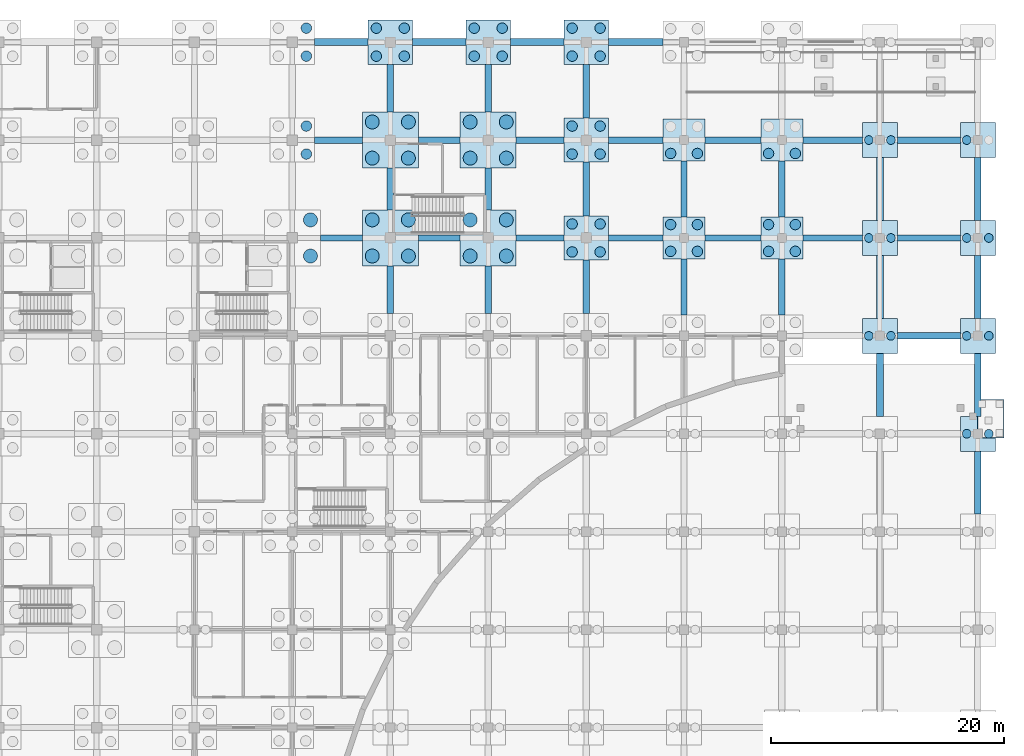
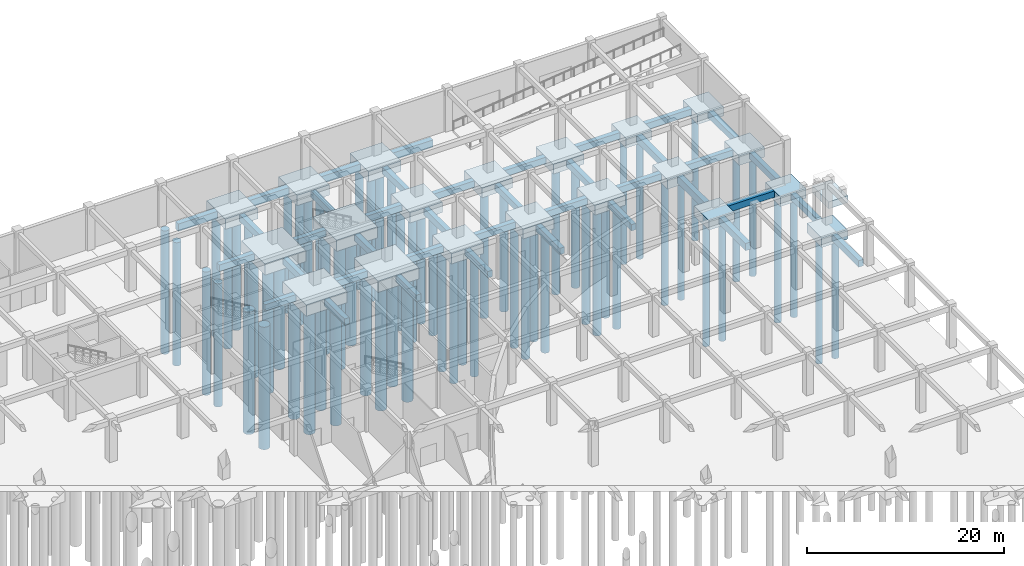
# One storey, part 16 of 65: 67 piles, 60 footings.
"""IFC4 building model written with IfcOpenShell, lengths in metres."""

from ifc_helpers import new_model, si_unit, direction, frame, origin, origin_2d, place, context, subcontext, project, spatial, rectangle, circle, extrude, material, material_profile, profile_set, type_object, element, save


model = new_model("IFC4")

# Units and contexts
model_context = context("Model", 3, precision=1e-05, world=origin(), true_north=direction((0.0, 1.0)))
body_context = subcontext(model_context, "Body", "Model", "MODEL_VIEW")
ifc_project = project(units=[si_unit("LENGTHUNIT", "METRE"), si_unit("AREAUNIT", "SQUARE_METRE"), si_unit("VOLUMEUNIT", "CUBIC_METRE"), si_unit("PLANEANGLEUNIT", "RADIAN"), si_unit("MASSUNIT", "GRAM", prefix="KILO")], contexts=[model_context])

# Site, building, storey
site_placement = place(None, origin())
site = spatial("IfcSite", under=ifc_project, at=site_placement, CompositionType="ELEMENT")
building_placement = place(site_placement, origin())
building = spatial("IfcBuilding", under=site, at=building_placement, Name="Bramfleet General Hospital", CompositionType="ELEMENT")
storey_placement = place(building_placement, frame((0.0, 0.0, -5.39990234375)))
storey = spatial("IfcBuildingStorey", under=building, at=storey_placement, Name="B1", CompositionType="ELEMENT", Elevation=-5.39990234375)

# Footings
ifc_material = material(Name="Concrete C35/45", Category="concrete")
ifc_material_profile_1 = material_profile(ifc_material, rectangle(XDim=0.550048828125, YDim=0.800048828125, at=origin_2d()), Name="RC FB 800x550")
ifc_profile_set_1 = profile_set([ifc_material_profile_1], Name="Concrete C35/45")
footing_type_1 = type_object("IfcFootingType", Name="FTG-FB-01", PredefinedType="FOOTING_BEAM", material=ifc_profile_set_1)
footing_1_placement = place(storey_placement, frame((128.39990234375, 100.800048828125, -0.900146484375), z_axis=(1.0, 0.0, 0.0), x_axis=(0.0, 1.0, 0.0)))
element("IfcFooting", 1, at=footing_1_placement, inside=storey, type_object=footing_type_1, Name="Foundation Tie Beam X 15-12", PredefinedType="FOOTING_BEAM", context=body_context, shape_type="SweptSolid", body=[
    extrude(rectangle(XDim=0.550048828125, YDim=0.800048828125, at=origin_2d()), origin(), (0.0, 0.0, 1.0), 3.60009765625),
])
footing_2_placement = place(storey_placement, frame((127.89990234375, 109.199951171875, -0.900146484375), z_axis=(1.0, 0.0, 0.0), x_axis=(0.0, 1.0, 0.0)))
element("IfcFooting", 2, at=footing_2_placement, inside=storey, type_object=footing_type_1, Name="Foundation Tie Beam X 15-13", PredefinedType="FOOTING_BEAM", context=body_context, shape_type="SweptSolid", body=[
    extrude(rectangle(XDim=0.550048828125, YDim=0.800048828125, at=origin_2d()), origin(), (0.0, 0.0, 1.0), 4.10009765625),
])
footing_3_placement = place(storey_placement, frame((134.39990234375, 94.300048828125, -0.900146484375), z_axis=(0.0, 1.0, 0.0), x_axis=(-1.0, 0.0, 0.0)))
element("IfcFooting", 3, at=footing_3_placement, inside=storey, type_object=footing_type_1, Name="Foundation Tie Beam Y 16-11", PredefinedType="FOOTING_BEAM", context=body_context, shape_type="SweptSolid", body=[
    extrude(rectangle(XDim=0.550048828125, YDim=0.800048828125, at=origin_2d()), origin(), (0.0, 0.0, 1.0), 4.099853515625),
])
footing_4_placement = place(storey_placement, frame((136.800048828125, 100.800048828125, -0.900146484375), z_axis=(1.0, 0.0, 0.0), x_axis=(0.0, 1.0, 0.0)))
element("IfcFooting", 4, at=footing_4_placement, inside=storey, type_object=footing_type_1, Name="Foundation Tie Beam X 16-12", PredefinedType="FOOTING_BEAM", context=body_context, shape_type="SweptSolid", body=[
    extrude(rectangle(XDim=0.550048828125, YDim=0.800048828125, at=origin_2d()), origin(), (0.0, 0.0, 1.0), 3.599853515625),
])
footing_5_placement = place(storey_placement, frame((134.39990234375, 103.199951171875, -0.900146484375), z_axis=(0.0, 1.0, 0.0), x_axis=(-1.0, 0.0, 0.0)))
element("IfcFooting", 5, at=footing_5_placement, inside=storey, type_object=footing_type_1, Name="Foundation Tie Beam Y 16-12", PredefinedType="FOOTING_BEAM", context=body_context, shape_type="SweptSolid", body=[
    extrude(rectangle(XDim=0.550048828125, YDim=0.800048828125, at=origin_2d()), origin(), (0.0, 0.0, 1.0), 3.60009765625),
])
footing_6_placement = place(storey_placement, frame((136.800048828125, 109.199951171875, -0.900146484375), z_axis=(1.0, 0.0, 0.0), x_axis=(0.0, 1.0, 0.0)))
element("IfcFooting", 6, at=footing_6_placement, inside=storey, type_object=footing_type_1, Name="Foundation Tie Beam X 16-13", PredefinedType="FOOTING_BEAM", context=body_context, shape_type="SweptSolid", body=[
    extrude(rectangle(XDim=0.550048828125, YDim=0.800048828125, at=origin_2d()), origin(), (0.0, 0.0, 1.0), 3.599853515625),
])
for number, where, z_axis, x_axis, name in (
    (7, (134.39990234375, 111.60009765625, -0.900146484375), (0.0, 1.0, 0.0), (-1.0, 0.0, 0.0), "Foundation Tie Beam Y 16-13"),
    (8, (142.800048828125, 94.300048828125, -0.900146484375), (0.0, 1.0, 0.0), (-1.0, 0.0, 0.0), "Foundation Tie Beam Y 17-11"),
):
    element("IfcFooting", number, at=place(storey_placement, frame(where, z_axis=z_axis, x_axis=x_axis)), inside=storey, type_object=footing_type_1, Name=name, PredefinedType="FOOTING_BEAM", context=body_context, shape_type="SweptSolid", body=[
        extrude(rectangle(XDim=0.550048828125, YDim=0.800048828125, at=origin_2d()), origin(), (0.0, 0.0, 1.0), 4.099853515625),
    ])
footing_7_placement = place(storey_placement, frame((145.199951171875, 100.800048828125, -0.900146484375), z_axis=(1.0, 0.0, 0.0), x_axis=(0.0, 1.0, 0.0)))
element("IfcFooting", 9, at=footing_7_placement, inside=storey, type_object=footing_type_1, Name="Foundation Tie Beam X 17-12", PredefinedType="FOOTING_BEAM", context=body_context, shape_type="SweptSolid", body=[
    extrude(rectangle(XDim=0.550048828125, YDim=0.800048828125, at=origin_2d()), origin(), (0.0, 0.0, 1.0), 4.10009765625),
])
footing_8_placement = place(storey_placement, frame((142.800048828125, 103.199951171875, -0.900146484375), z_axis=(0.0, 1.0, 0.0), x_axis=(-1.0, 0.0, 0.0)))
element("IfcFooting", 10, at=footing_8_placement, inside=storey, type_object=footing_type_1, Name="Foundation Tie Beam Y 17-12", PredefinedType="FOOTING_BEAM", context=body_context, shape_type="SweptSolid", body=[
    extrude(rectangle(XDim=0.550048828125, YDim=0.800048828125, at=origin_2d()), origin(), (0.0, 0.0, 1.0), 3.60009765625),
])
footing_9_placement = place(storey_placement, frame((145.199951171875, 109.199951171875, -0.900146484375), z_axis=(1.0, 0.0, 0.0), x_axis=(0.0, 1.0, 0.0)))
element("IfcFooting", 11, at=footing_9_placement, inside=storey, type_object=footing_type_1, Name="Foundation Tie Beam X 17-13", PredefinedType="FOOTING_BEAM", context=body_context, shape_type="SweptSolid", body=[
    extrude(rectangle(XDim=0.550048828125, YDim=0.800048828125, at=origin_2d()), origin(), (0.0, 0.0, 1.0), 4.10009765625),
])
footing_10_placement = place(storey_placement, frame((142.800048828125, 111.60009765625, -0.900146484375), z_axis=(0.0, 1.0, 0.0), x_axis=(-1.0, 0.0, 0.0)))
element("IfcFooting", 12, at=footing_10_placement, inside=storey, type_object=footing_type_1, Name="Foundation Tie Beam Y 17-13", PredefinedType="FOOTING_BEAM", context=body_context, shape_type="SweptSolid", body=[
    extrude(rectangle(XDim=0.550048828125, YDim=0.800048828125, at=origin_2d()), origin(), (0.0, 0.0, 1.0), 4.099853515625),
])
footing_11_placement = place(storey_placement, frame((151.199951171875, 94.300048828125, -0.900146484375), z_axis=(0.0, 1.0, 0.0), x_axis=(-1.0, 0.0, 0.0)))
element("IfcFooting", 13, at=footing_11_placement, inside=storey, type_object=footing_type_1, Name="Foundation Tie Beam Y 18-11", PredefinedType="FOOTING_BEAM", context=body_context, shape_type="SweptSolid", body=[
    extrude(rectangle(XDim=0.550048828125, YDim=0.800048828125, at=origin_2d()), origin(), (0.0, 0.0, 1.0), 4.599853515625),
])
footing_12_placement = place(storey_placement, frame((153.10009765625, 100.800048828125, -0.900146484375), z_axis=(1.0, 0.0, 0.0), x_axis=(0.0, 1.0, 0.0)))
element("IfcFooting", 14, at=footing_12_placement, inside=storey, type_object=footing_type_1, Name="Foundation Tie Beam X 18-12", PredefinedType="FOOTING_BEAM", context=body_context, shape_type="SweptSolid", body=[
    extrude(rectangle(XDim=0.550048828125, YDim=0.800048828125, at=origin_2d()), origin(), (0.0, 0.0, 1.0), 4.699951171875),
])
footing_13_placement = place(storey_placement, frame((151.199951171875, 102.699951171875, -0.900146484375), z_axis=(0.0, 1.0, 0.0), x_axis=(-1.0, 0.0, 0.0)))
element("IfcFooting", 15, at=footing_13_placement, inside=storey, type_object=footing_type_1, Name="Foundation Tie Beam Y 18-12", PredefinedType="FOOTING_BEAM", context=body_context, shape_type="SweptSolid", body=[
    extrude(rectangle(XDim=0.550048828125, YDim=0.800048828125, at=origin_2d()), origin(), (0.0, 0.0, 1.0), 4.60009765625),
])
footing_14_placement = place(storey_placement, frame((153.10009765625, 109.199951171875, -0.900146484375), z_axis=(1.0, 0.0, 0.0), x_axis=(0.0, 1.0, 0.0)))
element("IfcFooting", 16, at=footing_14_placement, inside=storey, type_object=footing_type_1, Name="Foundation Tie Beam X 18-13", PredefinedType="FOOTING_BEAM", context=body_context, shape_type="SweptSolid", body=[
    extrude(rectangle(XDim=0.550048828125, YDim=0.800048828125, at=origin_2d()), origin(), (0.0, 0.0, 1.0), 4.699951171875),
])
footing_15_placement = place(storey_placement, frame((151.199951171875, 111.10009765625, -0.900146484375), z_axis=(0.0, 1.0, 0.0), x_axis=(-1.0, 0.0, 0.0)))
element("IfcFooting", 17, at=footing_15_placement, inside=storey, type_object=footing_type_1, Name="Foundation Tie Beam Y 18-13", PredefinedType="FOOTING_BEAM", context=body_context, shape_type="SweptSolid", body=[
    extrude(rectangle(XDim=0.550048828125, YDim=0.800048828125, at=origin_2d()), origin(), (0.0, 0.0, 1.0), 4.599853515625),
])
for number, where, z_axis, x_axis, name in (
    (18, (159.60009765625, 94.199951171875, -0.900146484375), (0.0, 1.0, 0.0), (-1.0, 0.0, 0.0), "Foundation Tie Beam Y 19-11"),
    (19, (161.39990234375, 100.800048828125, -0.900146484375), (1.0, 0.0, 0.0), (0.0, 1.0, 0.0), "Foundation Tie Beam X 19-12"),
):
    element("IfcFooting", number, at=place(storey_placement, frame(where, z_axis=z_axis, x_axis=x_axis)), inside=storey, type_object=footing_type_1, Name=name, PredefinedType="FOOTING_BEAM", context=body_context, shape_type="SweptSolid", body=[
        extrude(rectangle(XDim=0.550048828125, YDim=0.800048828125, at=origin_2d()), origin(), (0.0, 0.0, 1.0), 4.800048828125),
    ])
footing_16_placement = place(storey_placement, frame((159.60009765625, 102.60009765625, -0.900146484375), z_axis=(0.0, 1.0, 0.0), x_axis=(-1.0, 0.0, 0.0)))
element("IfcFooting", 20, at=footing_16_placement, inside=storey, type_object=footing_type_1, Name="Foundation Tie Beam Y 19-12", PredefinedType="FOOTING_BEAM", context=body_context, shape_type="SweptSolid", body=[
    extrude(rectangle(XDim=0.550048828125, YDim=0.800048828125, at=origin_2d()), origin(), (0.0, 0.0, 1.0), 4.7998046875),
])
for number, where, z_axis, x_axis, name in (
    (21, (161.39990234375, 109.199951171875, -0.900146484375), (1.0, 0.0, 0.0), (0.0, 1.0, 0.0), "Foundation Tie Beam X 19-13"),
    (22, (168.0, 94.199951171875, -0.900146484375), (0.0, 1.0, 0.0), (-1.0, 0.0, 0.0), "Foundation Tie Beam Y 20-11"),
):
    element("IfcFooting", number, at=place(storey_placement, frame(where, z_axis=z_axis, x_axis=x_axis)), inside=storey, type_object=footing_type_1, Name=name, PredefinedType="FOOTING_BEAM", context=body_context, shape_type="SweptSolid", body=[
        extrude(rectangle(XDim=0.550048828125, YDim=0.800048828125, at=origin_2d()), origin(), (0.0, 0.0, 1.0), 4.800048828125),
    ])
footing_17_placement = place(storey_placement, frame((169.800048828125, 100.800048828125, -0.900146484375), z_axis=(1.0, 0.0, 0.0), x_axis=(0.0, 1.0, 0.0)))
element("IfcFooting", 23, at=footing_17_placement, inside=storey, type_object=footing_type_1, Name="Foundation Tie Beam X 20-12", PredefinedType="FOOTING_BEAM", context=body_context, shape_type="SweptSolid", body=[
    extrude(rectangle(XDim=0.550048828125, YDim=0.800048828125, at=origin_2d()), origin(), (0.0, 0.0, 1.0), 5.099853515625),
])
footing_18_placement = place(storey_placement, frame((168.0, 102.60009765625, -0.900146484375), z_axis=(0.0, 1.0, 0.0), x_axis=(-1.0, 0.0, 0.0)))
element("IfcFooting", 24, at=footing_18_placement, inside=storey, type_object=footing_type_1, Name="Foundation Tie Beam Y 20-12", PredefinedType="FOOTING_BEAM", context=body_context, shape_type="SweptSolid", body=[
    extrude(rectangle(XDim=0.550048828125, YDim=0.800048828125, at=origin_2d()), origin(), (0.0, 0.0, 1.0), 4.7998046875),
])
footing_19_placement = place(storey_placement, frame((169.800048828125, 109.199951171875, -0.900146484375), z_axis=(1.0, 0.0, 0.0), x_axis=(0.0, 1.0, 0.0)))
element("IfcFooting", 25, at=footing_19_placement, inside=storey, type_object=footing_type_1, Name="Foundation Tie Beam X 20-13", PredefinedType="FOOTING_BEAM", context=body_context, shape_type="SweptSolid", body=[
    extrude(rectangle(XDim=0.550048828125, YDim=0.800048828125, at=origin_2d()), origin(), (0.0, 0.0, 1.0), 5.099853515625),
])
for number, where, z_axis, x_axis, name in (
    (26, (177.89990234375, 92.39990234375, -0.900146484375), (1.0, 0.0, 0.0), (0.0, 1.0, 0.0), "Foundation Tie Beam X 21-11"),
    (27, (177.89990234375, 100.800048828125, -0.900146484375), (1.0, 0.0, 0.0), (0.0, 1.0, 0.0), "Foundation Tie Beam X 21-12"),
    (28, (177.89990234375, 109.199951171875, -0.900146484375), (1.0, 0.0, 0.0), (0.0, 1.0, 0.0), "Foundation Tie Beam X 21-13"),
):
    element("IfcFooting", number, at=place(storey_placement, frame(where, z_axis=z_axis, x_axis=x_axis)), inside=storey, type_object=footing_type_1, Name=name, PredefinedType="FOOTING_BEAM", context=body_context, shape_type="SweptSolid", body=[
        extrude(rectangle(XDim=0.550048828125, YDim=0.800048828125, at=origin_2d()), origin(), (0.0, 0.0, 1.0), 5.400146484375),
    ])
for number, where, z_axis, x_axis, name in (
    (29, (184.800048828125, 77.10009765625, -0.900146484375), (0.0, 1.0, 0.0), (-1.0, 0.0, 0.0), "Foundation Tie Beam Y 22-09"),
    (30, (184.800048828125, 85.5, -0.900146484375), (0.0, 1.0, 0.0), (-1.0, 0.0, 0.0), "Foundation Tie Beam Y 22-10"),
):
    element("IfcFooting", number, at=place(storey_placement, frame(where, z_axis=z_axis, x_axis=x_axis)), inside=storey, type_object=footing_type_1, Name=name, PredefinedType="FOOTING_BEAM", context=body_context, shape_type="SweptSolid", body=[
        extrude(rectangle(XDim=0.550048828125, YDim=0.800048828125, at=origin_2d()), origin(), (0.0, 0.0, 1.0), 5.39990234375),
    ])
footing_20_placement = place(storey_placement, frame((184.800048828125, 93.89990234375, -0.900146484375), z_axis=(0.0, 1.0, 0.0), x_axis=(-1.0, 0.0, 0.0)))
element("IfcFooting", 31, at=footing_20_placement, inside=storey, type_object=footing_type_1, Name="Foundation Tie Beam Y 22-11", PredefinedType="FOOTING_BEAM", context=body_context, shape_type="SweptSolid", body=[
    extrude(rectangle(XDim=0.550048828125, YDim=0.800048828125, at=origin_2d()), origin(), (0.0, 0.0, 1.0), 5.400146484375),
])
footing_21_placement = place(storey_placement, frame((184.800048828125, 102.300048828125, -0.900146484375), z_axis=(0.0, 1.0, 0.0), x_axis=(-1.0, 0.0, 0.0)))
element("IfcFooting", 32, at=footing_21_placement, inside=storey, type_object=footing_type_1, Name="Foundation Tie Beam Y 22-12", PredefinedType="FOOTING_BEAM", context=body_context, shape_type="SweptSolid", body=[
    extrude(rectangle(XDim=0.550048828125, YDim=0.800048828125, at=origin_2d()), origin(), (0.0, 0.0, 1.0), 5.39990234375),
])
ifc_material_profile_2 = material_profile(ifc_material, rectangle(XDim=0.60009765625, YDim=0.89990234375, at=origin_2d()), Name="RC FB 900x600")
ifc_profile_set_2 = profile_set([ifc_material_profile_2], Name="Concrete C35/45")
footing_type_2 = type_object("IfcFootingType", Name="FTG-FB-02", PredefinedType="FOOTING_BEAM", material=ifc_profile_set_2)
footing_22_placement = place(storey_placement, frame((127.89990234375, 117.60009765625, -0.9501953125), z_axis=(1.0, 0.0, 0.0), x_axis=(0.0, 1.0, 0.0)))
element("IfcFooting", 33, at=footing_22_placement, inside=storey, type_object=footing_type_2, Name="Foundation Tie Beam X 15-14", PredefinedType="FOOTING_BEAM", context=body_context, shape_type="SweptSolid", body=[
    extrude(rectangle(XDim=0.60009765625, YDim=0.89990234375, at=origin_2d()), origin(), (0.0, 0.0, 1.0), 4.60009765625),
])
footing_23_placement = place(storey_placement, frame((136.300048828125, 117.60009765625, -0.9501953125), z_axis=(1.0, 0.0, 0.0), x_axis=(0.0, 1.0, 0.0)))
element("IfcFooting", 34, at=footing_23_placement, inside=storey, type_object=footing_type_2, Name="Foundation Tie Beam X 16-14", PredefinedType="FOOTING_BEAM", context=body_context, shape_type="SweptSolid", body=[
    extrude(rectangle(XDim=0.60009765625, YDim=0.89990234375, at=origin_2d()), origin(), (0.0, 0.0, 1.0), 4.599853515625),
])
footing_24_placement = place(storey_placement, frame((144.699951171875, 117.60009765625, -0.9501953125), z_axis=(1.0, 0.0, 0.0), x_axis=(0.0, 1.0, 0.0)))
element("IfcFooting", 35, at=footing_24_placement, inside=storey, type_object=footing_type_2, Name="Foundation Tie Beam X 17-14", PredefinedType="FOOTING_BEAM", context=body_context, shape_type="SweptSolid", body=[
    extrude(rectangle(XDim=0.60009765625, YDim=0.89990234375, at=origin_2d()), origin(), (0.0, 0.0, 1.0), 4.60009765625),
])
footing_25_placement = place(storey_placement, frame((153.10009765625, 117.60009765625, -0.9501953125), z_axis=(1.0, 0.0, 0.0), x_axis=(0.0, 1.0, 0.0)))
element("IfcFooting", 36, at=footing_25_placement, inside=storey, type_object=footing_type_2, Name="Foundation Tie Beam X 18-14", PredefinedType="FOOTING_BEAM", context=body_context, shape_type="SweptSolid", body=[
    extrude(rectangle(XDim=0.60009765625, YDim=0.89990234375, at=origin_2d()), origin(), (0.0, 0.0, 1.0), 4.699951171875),
])
footing_26_placement = place(storey_placement, frame((176.39990234375, 85.5, -0.9501953125), z_axis=(0.0, 1.0, 0.0), x_axis=(-1.0, 0.0, 0.0)))
element("IfcFooting", 37, at=footing_26_placement, inside=storey, type_object=footing_type_2, Name="Foundation Tie Beam Y 21-10", PredefinedType="FOOTING_BEAM", context=body_context, shape_type="SweptSolid", body=[
    extrude(rectangle(XDim=0.60009765625, YDim=0.89990234375, at=origin_2d()), origin(), (0.0, 0.0, 1.0), 5.39990234375),
])
footing_27_placement = place(storey_placement, frame((176.39990234375, 93.89990234375, -0.9501953125), z_axis=(0.0, 1.0, 0.0), x_axis=(-1.0, 0.0, 0.0)))
element("IfcFooting", 38, at=footing_27_placement, inside=storey, type_object=footing_type_2, Name="Foundation Tie Beam Y 21-11", PredefinedType="FOOTING_BEAM", context=body_context, shape_type="SweptSolid", body=[
    extrude(rectangle(XDim=0.60009765625, YDim=0.89990234375, at=origin_2d()), origin(), (0.0, 0.0, 1.0), 5.400146484375),
])
footing_28_placement = place(storey_placement, frame((176.39990234375, 102.300048828125, -0.9501953125), z_axis=(0.0, 1.0, 0.0), x_axis=(-1.0, 0.0, 0.0)))
element("IfcFooting", 39, at=footing_28_placement, inside=storey, type_object=footing_type_2, Name="Foundation Tie Beam Y 21-12", PredefinedType="FOOTING_BEAM", context=body_context, shape_type="SweptSolid", body=[
    extrude(rectangle(XDim=0.60009765625, YDim=0.89990234375, at=origin_2d()), origin(), (0.0, 0.0, 1.0), 5.39990234375),
])
footing_type_3 = type_object("IfcFootingType", Name="FTG-PC-01", PredefinedType="PILE_CAP", material=ifc_material)
for number, where, z_axis, x_axis, name in (
    (40, (176.39990234375, 92.39990234375, -1.7001953125), (0.0, 0.0, 1.0), (1.0, 0.0, 0.0), "Pile Cap FTG-B1-21-11"),
    (41, (176.39990234375, 100.800048828125, -1.7001953125), (0.0, 0.0, 1.0), (1.0, 0.0, 0.0), "Pile Cap FTG-B1-21-12"),
    (42, (176.39990234375, 109.199951171875, -1.7001953125), (0.0, 0.0, 1.0), (1.0, 0.0, 0.0), "Pile Cap FTG-B1-21-13"),
    (43, (184.800048828125, 84.0, -1.7001953125), (0.0, 0.0, 1.0), (1.0, 0.0, 0.0), "Pile Cap FTG-B1-22-10"),
    (44, (184.800048828125, 92.39990234375, -1.7001953125), (0.0, 0.0, 1.0), (1.0, 0.0, 0.0), "Pile Cap FTG-B1-22-11"),
    (45, (184.800048828125, 100.800048828125, -1.7001953125), (0.0, 0.0, 1.0), (1.0, 0.0, 0.0), "Pile Cap FTG-B1-22-12"),
    (46, (184.800048828125, 109.199951171875, -1.7001953125), (0.0, 0.0, 1.0), (1.0, 0.0, 0.0), "Pile Cap FTG-B1-22-13"),
):
    element("IfcFooting", number, at=place(storey_placement, frame(where, z_axis=z_axis, x_axis=x_axis)), inside=storey, type_object=footing_type_3, Name=name, PredefinedType="PILE_CAP", context=body_context, shape_type="SweptSolid", body=[
        extrude(rectangle(XDim=3.0, YDim=3.0, at=origin_2d()), origin(), (0.0, 0.0, 1.0), 1.199951171875),
    ])
footing_type_4 = type_object("IfcFootingType", Name="FTG-PC-03", PredefinedType="PILE_CAP", material=ifc_material)
for number, where, z_axis, x_axis, name in (
    (47, (159.60009765625, 100.800048828125, -1.7001953125), (0.0, 0.0, 1.0), (1.0, 0.0, 0.0), "Pile Cap FTG-B1-19-12"),
    (48, (159.60009765625, 109.199951171875, -1.7001953125), (0.0, 0.0, 1.0), (1.0, 0.0, 0.0), "Pile Cap FTG-B1-19-13"),
    (49, (168.0, 100.800048828125, -1.7001953125), (0.0, 0.0, 1.0), (1.0, 0.0, 0.0), "Pile Cap FTG-B1-20-12"),
    (50, (168.0, 109.199951171875, -1.7001953125), (0.0, 0.0, 1.0), (1.0, 0.0, 0.0), "Pile Cap FTG-B1-20-13"),
):
    element("IfcFooting", number, at=place(storey_placement, frame(where, z_axis=z_axis, x_axis=x_axis)), inside=storey, type_object=footing_type_4, Name=name, PredefinedType="PILE_CAP", context=body_context, shape_type="SweptSolid", body=[
        extrude(rectangle(XDim=3.60009765625, YDim=3.60009765625, at=origin_2d()), origin(), (0.0, 0.0, 1.0), 1.199951171875),
    ])
footing_type_5 = type_object("IfcFootingType", Name="FTG-PC-04", PredefinedType="PILE_CAP", material=ifc_material)
for number, where, z_axis, x_axis, name in (
    (51, (134.39990234375, 117.60009765625, -1.80029296875), (0.0, 0.0, 1.0), (1.0, 0.0, 0.0), "Pile Cap FTG-B1-16-14"),
    (52, (142.800048828125, 117.60009765625, -1.80029296875), (0.0, 0.0, 1.0), (1.0, 0.0, 0.0), "Pile Cap FTG-B1-17-14"),
    (53, (151.199951171875, 100.800048828125, -1.80029296875), (0.0, 0.0, 1.0), (1.0, 0.0, 0.0), "Pile Cap FTG-B1-18-12"),
    (54, (151.199951171875, 109.199951171875, -1.80029296875), (0.0, 0.0, 1.0), (1.0, 0.0, 0.0), "Pile Cap FTG-B1-18-13"),
    (55, (151.199951171875, 117.60009765625, -1.80029296875), (0.0, 0.0, 1.0), (1.0, 0.0, 0.0), "Pile Cap FTG-B1-18-14"),
):
    element("IfcFooting", number, at=place(storey_placement, frame(where, z_axis=z_axis, x_axis=x_axis)), inside=storey, type_object=footing_type_5, Name=name, PredefinedType="PILE_CAP", context=body_context, shape_type="SweptSolid", body=[
        extrude(rectangle(XDim=3.800048828125, YDim=3.800048828125, at=origin_2d()), origin(), (0.0, 0.0, 1.0), 1.300048828125),
    ])
footing_type_6 = type_object("IfcFootingType", Name="FTG-PC-05", PredefinedType="PILE_CAP", material=ifc_material)
for number, where, z_axis, x_axis, name in (
    (56, (134.39990234375, 100.800048828125, -1.900146484375), (0.0, 0.0, 1.0), (1.0, 0.0, 0.0), "Pile Cap FTG-B1-16-12"),
    (57, (134.39990234375, 109.199951171875, -1.900146484375), (0.0, 0.0, 1.0), (1.0, 0.0, 0.0), "Pile Cap FTG-B1-16-13"),
    (58, (142.800048828125, 100.800048828125, -1.900146484375), (0.0, 0.0, 1.0), (1.0, 0.0, 0.0), "Pile Cap FTG-B1-17-12"),
    (59, (142.800048828125, 109.199951171875, -1.900146484375), (0.0, 0.0, 1.0), (1.0, 0.0, 0.0), "Pile Cap FTG-B1-17-13"),
):
    element("IfcFooting", number, at=place(storey_placement, frame(where, z_axis=z_axis, x_axis=x_axis)), inside=storey, type_object=footing_type_6, Name=name, PredefinedType="PILE_CAP", context=body_context, shape_type="SweptSolid", body=[
        extrude(rectangle(XDim=4.800048828125, YDim=4.800048828125, at=origin_2d()), origin(), (0.0, 0.0, 1.0), 1.39990234375),
    ])
footing_type_7 = type_object("IfcFootingType", Name="FTG-PF-01", PredefinedType="PAD_FOOTING", material=ifc_material)
footing_29_placement = place(storey_placement, frame((185.909912109375, 85.300048828125, 1.89990234375), z_axis=(0.0, 0.0, 1.0), x_axis=(1.0, 0.0, 0.0)))
element("IfcFooting", 60, at=footing_29_placement, inside=storey, type_object=footing_type_7, Name="Combined Threshold Pad Footing 6", PredefinedType="PAD_FOOTING", context=body_context, shape_type="SweptSolid", body=[
    extrude(rectangle(XDim=2.280029296875, YDim=3.300048828125, at=origin_2d()), origin(), (0.0, 0.0, 1.0), 0.85009765625),
])

# Piles
ifc_material_profile_3 = material_profile(ifc_material, circle(Radius=0.60009765625, at=origin_2d()), Name="PILE BORED D1200")
ifc_profile_set_3 = profile_set([ifc_material_profile_3], Name="Concrete C35/45")
pile_type_1 = type_object("IfcPileType", Name="PILE-D1200", PredefinedType="BORED", material=ifc_profile_set_3)
for number, where, z_axis, x_axis, name in (
    (61, (127.550048828125, 99.25, -1.800048828125), (0.0, 0.0, -1.0), (1.0, 0.0, 0.0), "Bored Pile PILE-B1-15-12-2"),
    (62, (127.550048828125, 102.35009765625, -1.800048828125), (0.0, 0.0, -1.0), (1.0, 0.0, 0.0), "Bored Pile PILE-B1-15-12-4"),
    (63, (132.85009765625, 99.25, -1.800048828125), (0.0, 0.0, -1.0), (1.0, 0.0, 0.0), "Bored Pile PILE-B1-16-12-1"),
    (64, (135.949951171875, 99.25, -1.800048828125), (0.0, 0.0, -1.0), (1.0, 0.0, 0.0), "Bored Pile PILE-B1-16-12-2"),
    (65, (132.85009765625, 102.35009765625, -1.800048828125), (0.0, 0.0, -1.0), (1.0, 0.0, 0.0), "Bored Pile PILE-B1-16-12-3"),
    (66, (135.949951171875, 102.35009765625, -1.800048828125), (0.0, 0.0, -1.0), (1.0, 0.0, 0.0), "Bored Pile PILE-B1-16-12-4"),
    (67, (132.85009765625, 107.64990234375, -1.800048828125), (0.0, 0.0, -1.0), (1.0, 0.0, 0.0), "Bored Pile PILE-B1-16-13-1"),
    (68, (135.949951171875, 107.64990234375, -1.800048828125), (0.0, 0.0, -1.0), (1.0, 0.0, 0.0), "Bored Pile PILE-B1-16-13-2"),
    (69, (132.85009765625, 110.75, -1.800048828125), (0.0, 0.0, -1.0), (1.0, 0.0, 0.0), "Bored Pile PILE-B1-16-13-3"),
    (70, (135.949951171875, 110.75, -1.800048828125), (0.0, 0.0, -1.0), (1.0, 0.0, 0.0), "Bored Pile PILE-B1-16-13-4"),
    (71, (141.25, 99.25, -1.800048828125), (0.0, 0.0, -1.0), (1.0, 0.0, 0.0), "Bored Pile PILE-B1-17-12-1"),
    (72, (144.35009765625, 99.25, -1.800048828125), (0.0, 0.0, -1.0), (1.0, 0.0, 0.0), "Bored Pile PILE-B1-17-12-2"),
    (73, (141.25, 102.35009765625, -1.800048828125), (0.0, 0.0, -1.0), (1.0, 0.0, 0.0), "Bored Pile PILE-B1-17-12-3"),
    (74, (144.35009765625, 102.35009765625, -1.800048828125), (0.0, 0.0, -1.0), (1.0, 0.0, 0.0), "Bored Pile PILE-B1-17-12-4"),
    (75, (141.25, 107.64990234375, -1.800048828125), (0.0, 0.0, -1.0), (1.0, 0.0, 0.0), "Bored Pile PILE-B1-17-13-1"),
    (76, (144.35009765625, 107.64990234375, -1.800048828125), (0.0, 0.0, -1.0), (1.0, 0.0, 0.0), "Bored Pile PILE-B1-17-13-2"),
    (77, (141.25, 110.75, -1.800048828125), (0.0, 0.0, -1.0), (1.0, 0.0, 0.0), "Bored Pile PILE-B1-17-13-3"),
    (78, (144.35009765625, 110.75, -1.800048828125), (0.0, 0.0, -1.0), (1.0, 0.0, 0.0), "Bored Pile PILE-B1-17-13-4"),
):
    element("IfcPile", number, at=place(storey_placement, frame(where, z_axis=z_axis, x_axis=x_axis)), inside=storey, type_object=pile_type_1, Name=name, PredefinedType="BORED", context=body_context, shape_type="SweptSolid", body=[
        extrude(circle(Radius=0.60009765625, at=origin_2d()), origin(), (0.0, 0.0, 1.0), 15.199951171875),
    ])
ifc_material_profile_4 = material_profile(ifc_material, circle(Radius=0.375, at=origin_2d()), Name="PILE BORED D750")
ifc_profile_set_4 = profile_set([ifc_material_profile_4], Name="Concrete C35/45")
pile_type_2 = type_object("IfcPileType", Name="PILE-D750", PredefinedType="BORED", material=ifc_profile_set_4)
for number, where, z_axis, x_axis, name in (
    (79, (175.449951171875, 92.39990234375, -1.60009765625), (0.0, 0.0, -1.0), (1.0, 0.0, 0.0), "Bored Pile PILE-B1-21-11-1"),
    (80, (177.35009765625, 92.39990234375, -1.60009765625), (0.0, 0.0, -1.0), (1.0, 0.0, 0.0), "Bored Pile PILE-B1-21-11-2"),
    (81, (175.449951171875, 100.800048828125, -1.60009765625), (0.0, 0.0, -1.0), (1.0, 0.0, 0.0), "Bored Pile PILE-B1-21-12-1"),
    (82, (177.35009765625, 100.800048828125, -1.60009765625), (0.0, 0.0, -1.0), (1.0, 0.0, 0.0), "Bored Pile PILE-B1-21-12-2"),
    (83, (175.449951171875, 109.199951171875, -1.60009765625), (0.0, 0.0, -1.0), (1.0, 0.0, 0.0), "Bored Pile PILE-B1-21-13-1"),
    (84, (177.35009765625, 109.199951171875, -1.60009765625), (0.0, 0.0, -1.0), (1.0, 0.0, 0.0), "Bored Pile PILE-B1-21-13-2"),
    (85, (183.85009765625, 84.0, -1.60009765625), (0.0, 0.0, -1.0), (1.0, 0.0, 0.0), "Bored Pile PILE-B1-22-10-1"),
    (86, (185.75, 84.0, -1.60009765625), (0.0, 0.0, -1.0), (1.0, 0.0, 0.0), "Bored Pile PILE-B1-22-10-2"),
    (87, (183.85009765625, 92.39990234375, -1.60009765625), (0.0, 0.0, -1.0), (1.0, 0.0, 0.0), "Bored Pile PILE-B1-22-11-1"),
    (88, (185.75, 92.39990234375, -1.60009765625), (0.0, 0.0, -1.0), (1.0, 0.0, 0.0), "Bored Pile PILE-B1-22-11-2"),
    (89, (183.85009765625, 100.800048828125, -1.60009765625), (0.0, 0.0, -1.0), (1.0, 0.0, 0.0), "Bored Pile PILE-B1-22-12-1"),
    (90, (185.75, 100.800048828125, -1.60009765625), (0.0, 0.0, -1.0), (1.0, 0.0, 0.0), "Bored Pile PILE-B1-22-12-2"),
    (91, (183.85009765625, 109.199951171875, -1.60009765625), (0.0, 0.0, -1.0), (1.0, 0.0, 0.0), "Bored Pile PILE-B1-22-13-1"),
):
    element("IfcPile", number, at=place(storey_placement, frame(where, z_axis=z_axis, x_axis=x_axis)), inside=storey, type_object=pile_type_2, Name=name, PredefinedType="BORED", context=body_context, shape_type="SweptSolid", body=[
        extrude(circle(Radius=0.375, at=origin_2d()), origin(), (0.0, 0.0, 1.0), 15.39990234375),
    ])
ifc_material_profile_5 = material_profile(ifc_material, circle(Radius=0.449951171875, at=origin_2d()), Name="PILE BORED D900")
ifc_profile_set_5 = profile_set([ifc_material_profile_5], Name="Concrete C35/45")
pile_type_3 = type_object("IfcPileType", Name="PILE-D900", PredefinedType="BORED", material=ifc_profile_set_5)
for number, where, z_axis, x_axis, name in (
    (92, (127.199951171875, 108.0, -1.7001953125), (0.0, 0.0, -1.0), (1.0, 0.0, 0.0), "Bored Pile PILE-B1-15-13-2"),
    (93, (127.199951171875, 110.39990234375, -1.7001953125), (0.0, 0.0, -1.0), (1.0, 0.0, 0.0), "Bored Pile PILE-B1-15-13-4"),
    (94, (127.199951171875, 116.39990234375, -1.7001953125), (0.0, 0.0, -1.0), (1.0, 0.0, 0.0), "Bored Pile PILE-B1-15-14-2"),
    (95, (127.199951171875, 118.800048828125, -1.7001953125), (0.0, 0.0, -1.0), (1.0, 0.0, 0.0), "Bored Pile PILE-B1-15-14-4"),
    (96, (133.199951171875, 116.39990234375, -1.7001953125), (0.0, 0.0, -1.0), (1.0, 0.0, 0.0), "Bored Pile PILE-B1-16-14-1"),
    (97, (135.60009765625, 116.39990234375, -1.7001953125), (0.0, 0.0, -1.0), (1.0, 0.0, 0.0), "Bored Pile PILE-B1-16-14-2"),
    (98, (133.199951171875, 118.800048828125, -1.7001953125), (0.0, 0.0, -1.0), (1.0, 0.0, 0.0), "Bored Pile PILE-B1-16-14-3"),
    (99, (135.60009765625, 118.800048828125, -1.7001953125), (0.0, 0.0, -1.0), (1.0, 0.0, 0.0), "Bored Pile PILE-B1-16-14-4"),
    (100, (141.60009765625, 116.39990234375, -1.7001953125), (0.0, 0.0, -1.0), (1.0, 0.0, 0.0), "Bored Pile PILE-B1-17-14-1"),
    (101, (144.0, 116.39990234375, -1.7001953125), (0.0, 0.0, -1.0), (1.0, 0.0, 0.0), "Bored Pile PILE-B1-17-14-2"),
    (102, (141.60009765625, 118.800048828125, -1.7001953125), (0.0, 0.0, -1.0), (1.0, 0.0, 0.0), "Bored Pile PILE-B1-17-14-3"),
    (103, (144.0, 118.800048828125, -1.7001953125), (0.0, 0.0, -1.0), (1.0, 0.0, 0.0), "Bored Pile PILE-B1-17-14-4"),
    (104, (150.0, 99.60009765625, -1.7001953125), (0.0, 0.0, -1.0), (1.0, 0.0, 0.0), "Bored Pile PILE-B1-18-12-1"),
    (105, (152.39990234375, 99.60009765625, -1.7001953125), (0.0, 0.0, -1.0), (1.0, 0.0, 0.0), "Bored Pile PILE-B1-18-12-2"),
    (106, (150.0, 102.0, -1.7001953125), (0.0, 0.0, -1.0), (1.0, 0.0, 0.0), "Bored Pile PILE-B1-18-12-3"),
    (107, (152.39990234375, 102.0, -1.7001953125), (0.0, 0.0, -1.0), (1.0, 0.0, 0.0), "Bored Pile PILE-B1-18-12-4"),
    (108, (150.0, 108.0, -1.7001953125), (0.0, 0.0, -1.0), (1.0, 0.0, 0.0), "Bored Pile PILE-B1-18-13-1"),
    (109, (152.39990234375, 108.0, -1.7001953125), (0.0, 0.0, -1.0), (1.0, 0.0, 0.0), "Bored Pile PILE-B1-18-13-2"),
    (110, (150.0, 110.39990234375, -1.7001953125), (0.0, 0.0, -1.0), (1.0, 0.0, 0.0), "Bored Pile PILE-B1-18-13-3"),
    (111, (152.39990234375, 110.39990234375, -1.7001953125), (0.0, 0.0, -1.0), (1.0, 0.0, 0.0), "Bored Pile PILE-B1-18-13-4"),
    (112, (150.0, 116.39990234375, -1.7001953125), (0.0, 0.0, -1.0), (1.0, 0.0, 0.0), "Bored Pile PILE-B1-18-14-1"),
    (113, (152.39990234375, 116.39990234375, -1.7001953125), (0.0, 0.0, -1.0), (1.0, 0.0, 0.0), "Bored Pile PILE-B1-18-14-2"),
    (114, (150.0, 118.800048828125, -1.7001953125), (0.0, 0.0, -1.0), (1.0, 0.0, 0.0), "Bored Pile PILE-B1-18-14-3"),
    (115, (152.39990234375, 118.800048828125, -1.7001953125), (0.0, 0.0, -1.0), (1.0, 0.0, 0.0), "Bored Pile PILE-B1-18-14-4"),
):
    element("IfcPile", number, at=place(storey_placement, frame(where, z_axis=z_axis, x_axis=x_axis)), inside=storey, type_object=pile_type_3, Name=name, PredefinedType="BORED", context=body_context, shape_type="SweptSolid", body=[
        extrude(circle(Radius=0.449951171875, at=origin_2d()), origin(), (0.0, 0.0, 1.0), 15.300048828125),
    ])
for number, where, z_axis, x_axis, name in (
    (116, (158.449951171875, 99.64990234375, -1.60009765625), (0.0, 0.0, -1.0), (1.0, 0.0, 0.0), "Bored Pile PILE-B1-19-12-1"),
    (117, (160.75, 99.64990234375, -1.60009765625), (0.0, 0.0, -1.0), (1.0, 0.0, 0.0), "Bored Pile PILE-B1-19-12-2"),
    (118, (158.449951171875, 101.949951171875, -1.60009765625), (0.0, 0.0, -1.0), (1.0, 0.0, 0.0), "Bored Pile PILE-B1-19-12-3"),
    (119, (160.75, 101.949951171875, -1.60009765625), (0.0, 0.0, -1.0), (1.0, 0.0, 0.0), "Bored Pile PILE-B1-19-12-4"),
    (120, (158.449951171875, 108.050048828125, -1.60009765625), (0.0, 0.0, -1.0), (1.0, 0.0, 0.0), "Bored Pile PILE-B1-19-13-1"),
    (121, (160.75, 108.050048828125, -1.60009765625), (0.0, 0.0, -1.0), (1.0, 0.0, 0.0), "Bored Pile PILE-B1-19-13-2"),
    (122, (166.85009765625, 99.64990234375, -1.60009765625), (0.0, 0.0, -1.0), (1.0, 0.0, 0.0), "Bored Pile PILE-B1-20-12-1"),
    (123, (169.14990234375, 99.64990234375, -1.60009765625), (0.0, 0.0, -1.0), (1.0, 0.0, 0.0), "Bored Pile PILE-B1-20-12-2"),
    (124, (166.85009765625, 101.949951171875, -1.60009765625), (0.0, 0.0, -1.0), (1.0, 0.0, 0.0), "Bored Pile PILE-B1-20-12-3"),
    (125, (169.14990234375, 101.949951171875, -1.60009765625), (0.0, 0.0, -1.0), (1.0, 0.0, 0.0), "Bored Pile PILE-B1-20-12-4"),
    (126, (166.85009765625, 108.050048828125, -1.60009765625), (0.0, 0.0, -1.0), (1.0, 0.0, 0.0), "Bored Pile PILE-B1-20-13-1"),
    (127, (169.14990234375, 108.050048828125, -1.60009765625), (0.0, 0.0, -1.0), (1.0, 0.0, 0.0), "Bored Pile PILE-B1-20-13-2"),
):
    element("IfcPile", number, at=place(storey_placement, frame(where, z_axis=z_axis, x_axis=x_axis)), inside=storey, type_object=pile_type_3, Name=name, PredefinedType="BORED", context=body_context, shape_type="SweptSolid", body=[
        extrude(circle(Radius=0.449951171875, at=origin_2d()), origin(), (0.0, 0.0, 1.0), 15.39990234375),
    ])

save(model, "model.ifc")
